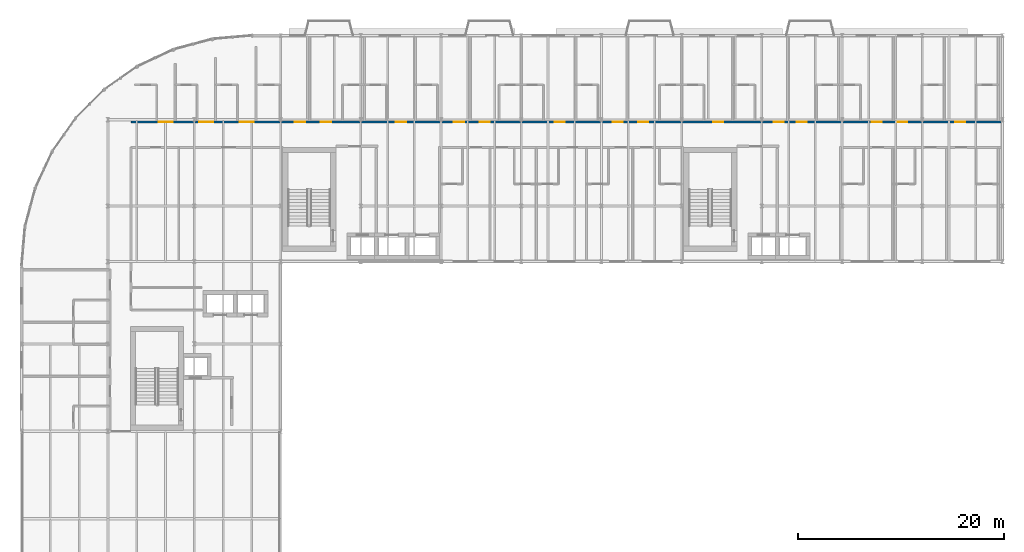
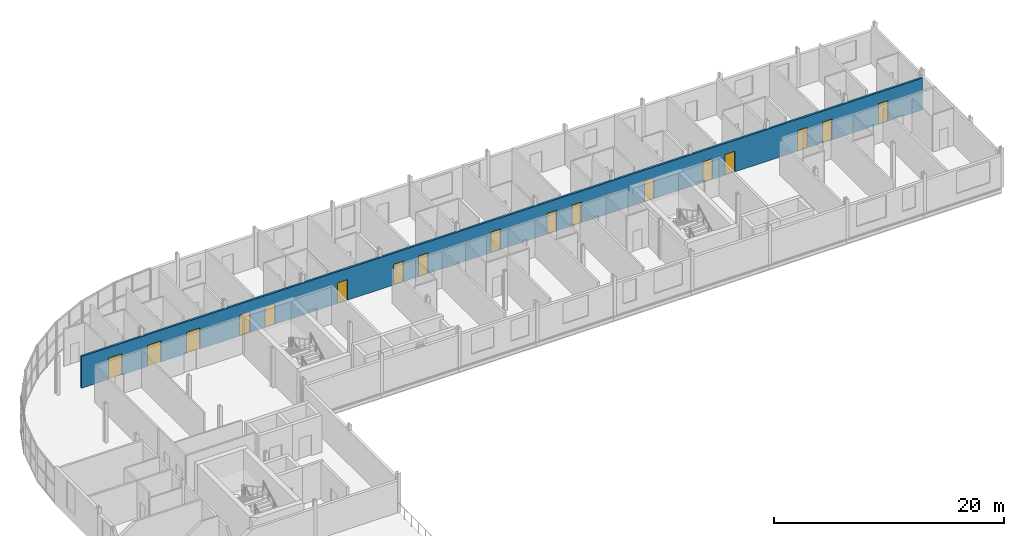
# One storey, part 14 of 22: 17 doors, 1 wall, 17 openings.
"""IFC4 building model written with IfcOpenShell, lengths in metres."""

from ifc_helpers import new_model, si_unit, direction, frame, frame_2d, origin, place, context, subcontext, project, spatial, rectangle, extrude, material, layer, layer_set, type_object, element, fill, save


model = new_model("IFC4")

# Units and contexts
model_context = context("Model", 3, precision=1e-05, world=origin(), true_north=direction((0.0, 1.0)))
body_context = subcontext(model_context, "Body", "Model", "MODEL_VIEW")
ifc_project = project(units=[si_unit("LENGTHUNIT", "METRE"), si_unit("AREAUNIT", "SQUARE_METRE"), si_unit("VOLUMEUNIT", "CUBIC_METRE"), si_unit("PLANEANGLEUNIT", "RADIAN"), si_unit("MASSUNIT", "GRAM", prefix="KILO")], contexts=[model_context])

# Site, building, storey
site_placement = place(None, origin())
site = spatial("IfcSite", under=ifc_project, at=site_placement, CompositionType="ELEMENT")
building_placement = place(site_placement, origin())
building = spatial("IfcBuilding", under=site, at=building_placement, Name="Sefraquen Railside Congress Hotel", CompositionType="ELEMENT")
storey_placement = place(building_placement, frame((0.0, 0.0, 42.60009765625)))
storey = spatial("IfcBuildingStorey", under=building, at=storey_placement, Name="L10", CompositionType="ELEMENT", Elevation=42.60009765625)

# Wall, openings, doors
ifc_material_1 = material(Name="Acoustic gypsum board on metal stud", Category="gypsum")
ifc_layer = layer(ifc_material_1, 0.199951171875)
ifc_layer_set = layer_set([ifc_layer], Name="Acoustic gypsum board on metal stud")
wall_type = type_object("IfcWallType", Name="TW-PW-200", PredefinedType="PARTITIONING", material=ifc_layer_set)
wall_placement = place(storey_placement, frame((10.64990234375, 109.60009765625, 0.0), z_axis=(0.0, 0.0, 1.0), x_axis=(1.0, 0.0, 0.0)))
wall = element("IfcWall", 1, at=wall_placement, inside=storey, type_object=wall_type, Name="Hotel L10 north corridor fire-rated partition", PredefinedType="PARTITIONING", context=body_context, shape_type="SweptSolid", body=[
    extrude(rectangle(XDim=84.610107421875, YDim=0.199951171875, at=frame_2d((42.30517578125, 0.0))), origin(), (0.0, 0.0, 1.0), 3.3798828125),
])
opening_1_placement = place(wall_placement, frame((15.926025390625, 0.0, 0.0)))
opening_1 = element("IfcOpeningElement", 2, at=opening_1_placement, cuts=wall, Name="Opening GD-01", PredefinedType="OPENING", context=body_context, shape_type="SweptSolid", body=[
    extrude(rectangle(XDim=1.02001953125, YDim=2.199951171875, at=frame_2d((0.510009765625, 1.10009765625))), frame((0.0, 0.10986328125, 0.0), z_axis=(0.0, -1.0, 0.0), x_axis=(1.0, 0.0, 0.0)), (0.0, 0.0, 1.0), 0.219970703125),
])
opening_2_placement = place(wall_placement, frame((18.449951171875, 0.0, 0.0)))
opening_2 = element("IfcOpeningElement", 3, at=opening_2_placement, cuts=wall, Name="Opening GD-01", PredefinedType="OPENING", context=body_context, shape_type="SweptSolid", body=[
    extrude(rectangle(XDim=1.02001953125, YDim=2.199951171875, at=frame_2d((0.510009765625, 1.10009765625))), frame((0.0, 0.10986328125, 0.0), z_axis=(0.0, -1.0, 0.0), x_axis=(1.0, 0.0, 0.0)), (0.0, 0.0, 1.0), 0.219970703125),
])
opening_3_placement = place(wall_placement, frame((25.741943359375, 0.0, 0.0)))
opening_3 = element("IfcOpeningElement", 4, at=opening_3_placement, cuts=wall, Name="Opening GD-01", PredefinedType="OPENING", context=body_context, shape_type="SweptSolid", body=[
    extrude(rectangle(XDim=1.02001953125, YDim=2.199951171875, at=frame_2d((0.510009765625, 1.10009765625))), frame((0.0, 0.10986328125, 0.0), z_axis=(0.0, -1.0, 0.0), x_axis=(1.0, 0.0, 0.0)), (0.0, 0.0, 1.0), 0.219970703125),
])
opening_4_placement = place(wall_placement, frame((31.385009765625, 0.0, 0.0)))
opening_4 = element("IfcOpeningElement", 5, at=opening_4_placement, cuts=wall, Name="Opening GD-01", PredefinedType="OPENING", context=body_context, shape_type="SweptSolid", body=[
    extrude(rectangle(XDim=1.02001953125, YDim=2.199951171875, at=frame_2d((0.510009765625, 1.10009765625))), frame((0.0, 0.10986328125, 0.0), z_axis=(0.0, -1.0, 0.0), x_axis=(1.0, 0.0, 0.0)), (0.0, 0.0, 1.0), 0.219970703125),
])
opening_5_placement = place(wall_placement, frame((33.907958984375, 0.0, 0.0)))
opening_5 = element("IfcOpeningElement", 6, at=opening_5_placement, cuts=wall, Name="Opening GD-02", PredefinedType="OPENING", context=body_context, shape_type="SweptSolid", body=[
    extrude(rectangle(XDim=0.9599609375, YDim=2.199951171875, at=frame_2d((0.47998046875, 1.10009765625))), frame((0.0, 0.10986328125, 0.0), z_axis=(0.0, -1.0, 0.0), x_axis=(1.0, 0.0, 0.0)), (0.0, 0.0, 1.0), 0.219970703125),
])
opening_6_placement = place(wall_placement, frame((41.200927734375, 0.0, 0.0)))
opening_6 = element("IfcOpeningElement", 7, at=opening_6_placement, cuts=wall, Name="Opening GD-02", PredefinedType="OPENING", context=body_context, shape_type="SweptSolid", body=[
    extrude(rectangle(XDim=0.9599609375, YDim=2.199951171875, at=frame_2d((0.47998046875, 1.10009765625))), frame((0.0, 0.10986328125, 0.0), z_axis=(0.0, -1.0, 0.0), x_axis=(1.0, 0.0, 0.0)), (0.0, 0.0, 1.0), 0.219970703125),
])
opening_7_placement = place(wall_placement, frame((46.843994140625, 0.0, 0.0)))
opening_7 = element("IfcOpeningElement", 8, at=opening_7_placement, cuts=wall, Name="Opening GD-02", PredefinedType="OPENING", context=body_context, shape_type="SweptSolid", body=[
    extrude(rectangle(XDim=0.9599609375, YDim=2.199951171875, at=frame_2d((0.47998046875, 1.10009765625))), frame((0.0, 0.10986328125, 0.0), z_axis=(0.0, -1.0, 0.0), x_axis=(1.0, 0.0, 0.0)), (0.0, 0.0, 1.0), 0.219970703125),
])
opening_8_placement = place(wall_placement, frame((49.3369140625, 0.0, 0.0)))
opening_8 = element("IfcOpeningElement", 9, at=opening_8_placement, cuts=wall, Name="Opening GD-02", PredefinedType="OPENING", context=body_context, shape_type="SweptSolid", body=[
    extrude(rectangle(XDim=0.9599609375, YDim=2.199951171875, at=frame_2d((0.47998046875, 1.10009765625))), frame((0.0, 0.10986328125, 0.0), z_axis=(0.0, -1.0, 0.0), x_axis=(1.0, 0.0, 0.0)), (0.0, 0.0, 1.0), 0.219970703125),
])
opening_9_placement = place(wall_placement, frame((56.6298828125, 0.0, 0.0)))
opening_9 = element("IfcOpeningElement", 10, at=opening_9_placement, cuts=wall, Name="Opening GD-02", PredefinedType="OPENING", context=body_context, shape_type="SweptSolid", body=[
    extrude(rectangle(XDim=0.9599609375, YDim=2.199951171875, at=frame_2d((0.47998046875, 1.10009765625))), frame((0.0, 0.10986328125, 0.0), z_axis=(0.0, -1.0, 0.0), x_axis=(1.0, 0.0, 0.0)), (0.0, 0.0, 1.0), 0.219970703125),
])
opening_10_placement = place(wall_placement, frame((62.52294921875, 0.0, 0.0)))
opening_10 = element("IfcOpeningElement", 11, at=opening_10_placement, cuts=wall, Name="Opening GD-02", PredefinedType="OPENING", context=body_context, shape_type="SweptSolid", body=[
    extrude(rectangle(XDim=0.9599609375, YDim=2.199951171875, at=frame_2d((0.47998046875, 1.10009765625))), frame((0.0, 0.10986328125, 0.0), z_axis=(0.0, -1.0, 0.0), x_axis=(1.0, 0.0, 0.0)), (0.0, 0.0, 1.0), 0.219970703125),
])
opening_11_placement = place(wall_placement, frame((64.764892578125, 0.0, 0.0)))
opening_11 = element("IfcOpeningElement", 12, at=opening_11_placement, cuts=wall, Name="Opening GD-02", PredefinedType="OPENING", context=body_context, shape_type="SweptSolid", body=[
    extrude(rectangle(XDim=0.9599609375, YDim=2.199951171875, at=frame_2d((0.47998046875, 1.10009765625))), frame((0.0, 0.10986328125, 0.0), z_axis=(0.0, -1.0, 0.0), x_axis=(1.0, 0.0, 0.0)), (0.0, 0.0, 1.0), 0.219970703125),
])
opening_12_placement = place(wall_placement, frame((72.056884765625, 0.0, 0.0)))
opening_12 = element("IfcOpeningElement", 13, at=opening_12_placement, cuts=wall, Name="Opening GD-02", PredefinedType="OPENING", context=body_context, shape_type="SweptSolid", body=[
    extrude(rectangle(XDim=0.9599609375, YDim=2.199951171875, at=frame_2d((0.47998046875, 1.10009765625))), frame((0.0, 0.10986328125, 0.0), z_axis=(0.0, -1.0, 0.0), x_axis=(1.0, 0.0, 0.0)), (0.0, 0.0, 1.0), 0.219970703125),
])
opening_13_placement = place(wall_placement, frame((74.550048828125, 0.0, 0.0)))
opening_13 = element("IfcOpeningElement", 14, at=opening_13_placement, cuts=wall, Name="Opening GD-02", PredefinedType="OPENING", context=body_context, shape_type="SweptSolid", body=[
    extrude(rectangle(XDim=0.9599609375, YDim=2.199951171875, at=frame_2d((0.47998046875, 1.10009765625))), frame((0.0, 0.10986328125, 0.0), z_axis=(0.0, -1.0, 0.0), x_axis=(1.0, 0.0, 0.0)), (0.0, 0.0, 1.0), 0.219970703125),
])
opening_14_placement = place(wall_placement, frame((80.1630859375, 0.0, 0.0)))
opening_14 = element("IfcOpeningElement", 15, at=opening_14_placement, cuts=wall, Name="Opening GD-02", PredefinedType="OPENING", context=body_context, shape_type="SweptSolid", body=[
    extrude(rectangle(XDim=0.9599609375, YDim=2.199951171875, at=frame_2d((0.47998046875, 1.10009765625))), frame((0.0, 0.10986328125, 0.0), z_axis=(0.0, -1.0, 0.0), x_axis=(1.0, 0.0, 0.0)), (0.0, 0.0, 1.0), 0.219970703125),
])
opening_15_placement = place(wall_placement, frame((2.716064453125, 0.0, 0.0)))
opening_15 = element("IfcOpeningElement", 16, at=opening_15_placement, cuts=wall, Name="Opening GD-03", PredefinedType="OPENING", context=body_context, shape_type="SweptSolid", body=[
    extrude(rectangle(XDim=1.35009765625, YDim=2.25, at=frame_2d((0.675048828125, 1.125))), frame((0.0, 0.10986328125, 0.0), z_axis=(0.0, -1.0, 0.0), x_axis=(1.0, 0.0, 0.0)), (0.0, 0.0, 1.0), 0.219970703125),
])
opening_16_placement = place(wall_placement, frame((6.64990234375, 0.0, 0.0)))
opening_16 = element("IfcOpeningElement", 17, at=opening_16_placement, cuts=wall, Name="Opening GD-03", PredefinedType="OPENING", context=body_context, shape_type="SweptSolid", body=[
    extrude(rectangle(XDim=1.35009765625, YDim=2.25, at=frame_2d((0.675048828125, 1.125))), frame((0.0, 0.10986328125, 0.0), z_axis=(0.0, -1.0, 0.0), x_axis=(1.0, 0.0, 0.0)), (0.0, 0.0, 1.0), 0.219970703125),
])
opening_17_placement = place(wall_placement, frame((10.5830078125, 0.0, 0.0)))
opening_17 = element("IfcOpeningElement", 18, at=opening_17_placement, cuts=wall, Name="Opening GD-03", PredefinedType="OPENING", context=body_context, shape_type="SweptSolid", body=[
    extrude(rectangle(XDim=1.35009765625, YDim=2.25, at=frame_2d((0.675048828125, 1.125))), frame((0.0, 0.10986328125, 0.0), z_axis=(0.0, -1.0, 0.0), x_axis=(1.0, 0.0, 0.0)), (0.0, 0.0, 1.0), 0.219970703125),
])
ifc_material_2 = material(Name="Solid Atlas cedar timber fire leaf", Category="wood")
door_type_1 = type_object("IfcDoorType", Name="TD-GD-01", OperationType="NOTDEFINED", PredefinedType="DOOR", material=ifc_material_2)
door_1_placement = place(opening_1_placement, origin())
door_1 = element("IfcDoor", 19, at=door_1_placement, inside=storey, type_object=door_type_1, Name="Guest room entrance fire door RM-001", OperationType="SINGLE_SWING_RIGHT", OverallHeight=2.199951171875, OverallWidth=1.02001953125, PredefinedType="DOOR", context=body_context, shape_type="SweptSolid", body=[
    extrude(rectangle(XDim=1.02001953125, YDim=2.199951171875, at=frame_2d((0.510009765625, 1.10009765625))), frame((0.0, 0.02490234375, 0.0), z_axis=(0.0, -1.0, 0.0), x_axis=(1.0, 0.0, 0.0)), (0.0, 0.0, 1.0), 0.050048828125),
])
fill(opening_1, door_1)
door_2_placement = place(opening_2_placement, origin())
door_2 = element("IfcDoor", 20, at=door_2_placement, inside=storey, type_object=door_type_1, Name="Guest room entrance fire door RM-002", OperationType="SINGLE_SWING_RIGHT", OverallHeight=2.199951171875, OverallWidth=1.02001953125, PredefinedType="DOOR", context=body_context, shape_type="SweptSolid", body=[
    extrude(rectangle(XDim=1.02001953125, YDim=2.199951171875, at=frame_2d((0.510009765625, 1.10009765625))), frame((0.0, 0.02490234375, 0.0), z_axis=(0.0, -1.0, 0.0), x_axis=(1.0, 0.0, 0.0)), (0.0, 0.0, 1.0), 0.050048828125),
])
fill(opening_2, door_2)
door_3_placement = place(opening_3_placement, origin())
door_3 = element("IfcDoor", 21, at=door_3_placement, inside=storey, type_object=door_type_1, Name="Guest room entrance fire door RM-003", OperationType="SINGLE_SWING_RIGHT", OverallHeight=2.199951171875, OverallWidth=1.02001953125, PredefinedType="DOOR", context=body_context, shape_type="SweptSolid", body=[
    extrude(rectangle(XDim=1.02001953125, YDim=2.199951171875, at=frame_2d((0.510009765625, 1.10009765625))), frame((0.0, 0.02490234375, 0.0), z_axis=(0.0, -1.0, 0.0), x_axis=(1.0, 0.0, 0.0)), (0.0, 0.0, 1.0), 0.050048828125),
])
fill(opening_3, door_3)
door_4_placement = place(opening_4_placement, origin())
door_4 = element("IfcDoor", 22, at=door_4_placement, inside=storey, type_object=door_type_1, Name="Guest room entrance fire door RM-004", OperationType="SINGLE_SWING_RIGHT", OverallHeight=2.199951171875, OverallWidth=1.02001953125, PredefinedType="DOOR", context=body_context, shape_type="SweptSolid", body=[
    extrude(rectangle(XDim=1.02001953125, YDim=2.199951171875, at=frame_2d((0.510009765625, 1.10009765625))), frame((0.0, 0.02490234375, 0.0), z_axis=(0.0, -1.0, 0.0), x_axis=(1.0, 0.0, 0.0)), (0.0, 0.0, 1.0), 0.050048828125),
])
fill(opening_4, door_4)
door_type_2 = type_object("IfcDoorType", Name="TD-GD-02", OperationType="NOTDEFINED", PredefinedType="DOOR", material=ifc_material_2)
door_5_placement = place(opening_5_placement, origin())
door_5 = element("IfcDoor", 23, at=door_5_placement, inside=storey, type_object=door_type_2, Name="Guest room entrance fire door RM-005", OperationType="SINGLE_SWING_RIGHT", OverallHeight=2.199951171875, OverallWidth=0.9599609375, PredefinedType="DOOR", context=body_context, shape_type="SweptSolid", body=[
    extrude(rectangle(XDim=0.9599609375, YDim=2.199951171875, at=frame_2d((0.47998046875, 1.10009765625))), frame((0.0, 0.02490234375, 0.0), z_axis=(0.0, -1.0, 0.0), x_axis=(1.0, 0.0, 0.0)), (0.0, 0.0, 1.0), 0.050048828125),
])
fill(opening_5, door_5)
door_6_placement = place(opening_6_placement, origin())
door_6 = element("IfcDoor", 24, at=door_6_placement, inside=storey, type_object=door_type_2, Name="Guest room entrance fire door RM-006", OperationType="SINGLE_SWING_RIGHT", OverallHeight=2.199951171875, OverallWidth=0.9599609375, PredefinedType="DOOR", context=body_context, shape_type="SweptSolid", body=[
    extrude(rectangle(XDim=0.9599609375, YDim=2.199951171875, at=frame_2d((0.47998046875, 1.10009765625))), frame((0.0, 0.02490234375, 0.0), z_axis=(0.0, -1.0, 0.0), x_axis=(1.0, 0.0, 0.0)), (0.0, 0.0, 1.0), 0.050048828125),
])
fill(opening_6, door_6)
door_7_placement = place(opening_7_placement, origin())
door_7 = element("IfcDoor", 25, at=door_7_placement, inside=storey, type_object=door_type_2, Name="Guest room entrance fire door RM-007", OperationType="SINGLE_SWING_RIGHT", OverallHeight=2.199951171875, OverallWidth=0.9599609375, PredefinedType="DOOR", context=body_context, shape_type="SweptSolid", body=[
    extrude(rectangle(XDim=0.9599609375, YDim=2.199951171875, at=frame_2d((0.47998046875, 1.10009765625))), frame((0.0, 0.02490234375, 0.0), z_axis=(0.0, -1.0, 0.0), x_axis=(1.0, 0.0, 0.0)), (0.0, 0.0, 1.0), 0.050048828125),
])
fill(opening_7, door_7)
door_8_placement = place(opening_8_placement, origin())
door_8 = element("IfcDoor", 26, at=door_8_placement, inside=storey, type_object=door_type_2, Name="Guest room entrance fire door RM-008", OperationType="SINGLE_SWING_RIGHT", OverallHeight=2.199951171875, OverallWidth=0.9599609375, PredefinedType="DOOR", context=body_context, shape_type="SweptSolid", body=[
    extrude(rectangle(XDim=0.9599609375, YDim=2.199951171875, at=frame_2d((0.47998046875, 1.10009765625))), frame((0.0, 0.02490234375, 0.0), z_axis=(0.0, -1.0, 0.0), x_axis=(1.0, 0.0, 0.0)), (0.0, 0.0, 1.0), 0.050048828125),
])
fill(opening_8, door_8)
door_9_placement = place(opening_9_placement, origin())
door_9 = element("IfcDoor", 27, at=door_9_placement, inside=storey, type_object=door_type_2, Name="Guest room entrance fire door RM-009", OperationType="SINGLE_SWING_RIGHT", OverallHeight=2.199951171875, OverallWidth=0.9599609375, PredefinedType="DOOR", context=body_context, shape_type="SweptSolid", body=[
    extrude(rectangle(XDim=0.9599609375, YDim=2.199951171875, at=frame_2d((0.47998046875, 1.10009765625))), frame((0.0, 0.02490234375, 0.0), z_axis=(0.0, -1.0, 0.0), x_axis=(1.0, 0.0, 0.0)), (0.0, 0.0, 1.0), 0.050048828125),
])
fill(opening_9, door_9)
door_10_placement = place(opening_10_placement, origin())
door_10 = element("IfcDoor", 28, at=door_10_placement, inside=storey, type_object=door_type_2, Name="Guest room entrance fire door RM-010", OperationType="SINGLE_SWING_RIGHT", OverallHeight=2.199951171875, OverallWidth=0.9599609375, PredefinedType="DOOR", context=body_context, shape_type="SweptSolid", body=[
    extrude(rectangle(XDim=0.9599609375, YDim=2.199951171875, at=frame_2d((0.47998046875, 1.10009765625))), frame((0.0, 0.02490234375, 0.0), z_axis=(0.0, -1.0, 0.0), x_axis=(1.0, 0.0, 0.0)), (0.0, 0.0, 1.0), 0.050048828125),
])
fill(opening_10, door_10)
door_11_placement = place(opening_11_placement, origin())
door_11 = element("IfcDoor", 29, at=door_11_placement, inside=storey, type_object=door_type_2, Name="Guest room entrance fire door RM-011", OperationType="SINGLE_SWING_RIGHT", OverallHeight=2.199951171875, OverallWidth=0.9599609375, PredefinedType="DOOR", context=body_context, shape_type="SweptSolid", body=[
    extrude(rectangle(XDim=0.9599609375, YDim=2.199951171875, at=frame_2d((0.47998046875, 1.10009765625))), frame((0.0, 0.02490234375, 0.0), z_axis=(0.0, -1.0, 0.0), x_axis=(1.0, 0.0, 0.0)), (0.0, 0.0, 1.0), 0.050048828125),
])
fill(opening_11, door_11)
door_12_placement = place(opening_12_placement, origin())
door_12 = element("IfcDoor", 30, at=door_12_placement, inside=storey, type_object=door_type_2, Name="Guest room entrance fire door RM-012", OperationType="SINGLE_SWING_RIGHT", OverallHeight=2.199951171875, OverallWidth=0.9599609375, PredefinedType="DOOR", context=body_context, shape_type="SweptSolid", body=[
    extrude(rectangle(XDim=0.9599609375, YDim=2.199951171875, at=frame_2d((0.47998046875, 1.10009765625))), frame((0.0, 0.02490234375, 0.0), z_axis=(0.0, -1.0, 0.0), x_axis=(1.0, 0.0, 0.0)), (0.0, 0.0, 1.0), 0.050048828125),
])
fill(opening_12, door_12)
door_13_placement = place(opening_13_placement, origin())
door_13 = element("IfcDoor", 31, at=door_13_placement, inside=storey, type_object=door_type_2, Name="Guest room entrance fire door RM-013", OperationType="SINGLE_SWING_RIGHT", OverallHeight=2.199951171875, OverallWidth=0.9599609375, PredefinedType="DOOR", context=body_context, shape_type="SweptSolid", body=[
    extrude(rectangle(XDim=0.9599609375, YDim=2.199951171875, at=frame_2d((0.47998046875, 1.10009765625))), frame((0.0, 0.02490234375, 0.0), z_axis=(0.0, -1.0, 0.0), x_axis=(1.0, 0.0, 0.0)), (0.0, 0.0, 1.0), 0.050048828125),
])
fill(opening_13, door_13)
door_14_placement = place(opening_14_placement, origin())
door_14 = element("IfcDoor", 32, at=door_14_placement, inside=storey, type_object=door_type_2, Name="Guest room entrance fire door RM-014", OperationType="SINGLE_SWING_RIGHT", OverallHeight=2.199951171875, OverallWidth=0.9599609375, PredefinedType="DOOR", context=body_context, shape_type="SweptSolid", body=[
    extrude(rectangle(XDim=0.9599609375, YDim=2.199951171875, at=frame_2d((0.47998046875, 1.10009765625))), frame((0.0, 0.02490234375, 0.0), z_axis=(0.0, -1.0, 0.0), x_axis=(1.0, 0.0, 0.0)), (0.0, 0.0, 1.0), 0.050048828125),
])
fill(opening_14, door_14)
door_type_3 = type_object("IfcDoorType", Name="TD-GD-03", OperationType="NOTDEFINED", PredefinedType="DOOR", material=ifc_material_2)
door_15_placement = place(opening_15_placement, origin())
door_15 = element("IfcDoor", 33, at=door_15_placement, inside=storey, type_object=door_type_3, Name="Guest room entrance fire door RM-026", OperationType="DOUBLE_SWING_LEFT", OverallHeight=2.25, OverallWidth=1.35009765625, PredefinedType="DOOR", context=body_context, shape_type="SweptSolid", body=[
    extrude(rectangle(XDim=1.35009765625, YDim=2.25, at=frame_2d((0.675048828125, 1.125))), frame((0.0, 0.02490234375, 0.0), z_axis=(0.0, -1.0, 0.0), x_axis=(1.0, 0.0, 0.0)), (0.0, 0.0, 1.0), 0.050048828125),
])
fill(opening_15, door_15)
door_16_placement = place(opening_16_placement, origin())
door_16 = element("IfcDoor", 34, at=door_16_placement, inside=storey, type_object=door_type_3, Name="Guest room entrance fire door RM-027", OperationType="DOUBLE_SWING_LEFT", OverallHeight=2.25, OverallWidth=1.35009765625, PredefinedType="DOOR", context=body_context, shape_type="SweptSolid", body=[
    extrude(rectangle(XDim=1.35009765625, YDim=2.25, at=frame_2d((0.675048828125, 1.125))), frame((0.0, 0.02490234375, 0.0), z_axis=(0.0, -1.0, 0.0), x_axis=(1.0, 0.0, 0.0)), (0.0, 0.0, 1.0), 0.050048828125),
])
fill(opening_16, door_16)
door_17_placement = place(opening_17_placement, origin())
door_17 = element("IfcDoor", 35, at=door_17_placement, inside=storey, type_object=door_type_3, Name="Guest room entrance fire door RM-028", OperationType="DOUBLE_SWING_LEFT", OverallHeight=2.25, OverallWidth=1.35009765625, PredefinedType="DOOR", context=body_context, shape_type="SweptSolid", body=[
    extrude(rectangle(XDim=1.35009765625, YDim=2.25, at=frame_2d((0.675048828125, 1.125))), frame((0.0, 0.02490234375, 0.0), z_axis=(0.0, -1.0, 0.0), x_axis=(1.0, 0.0, 0.0)), (0.0, 0.0, 1.0), 0.050048828125),
])
fill(opening_17, door_17)

save(model, "model.ifc")
